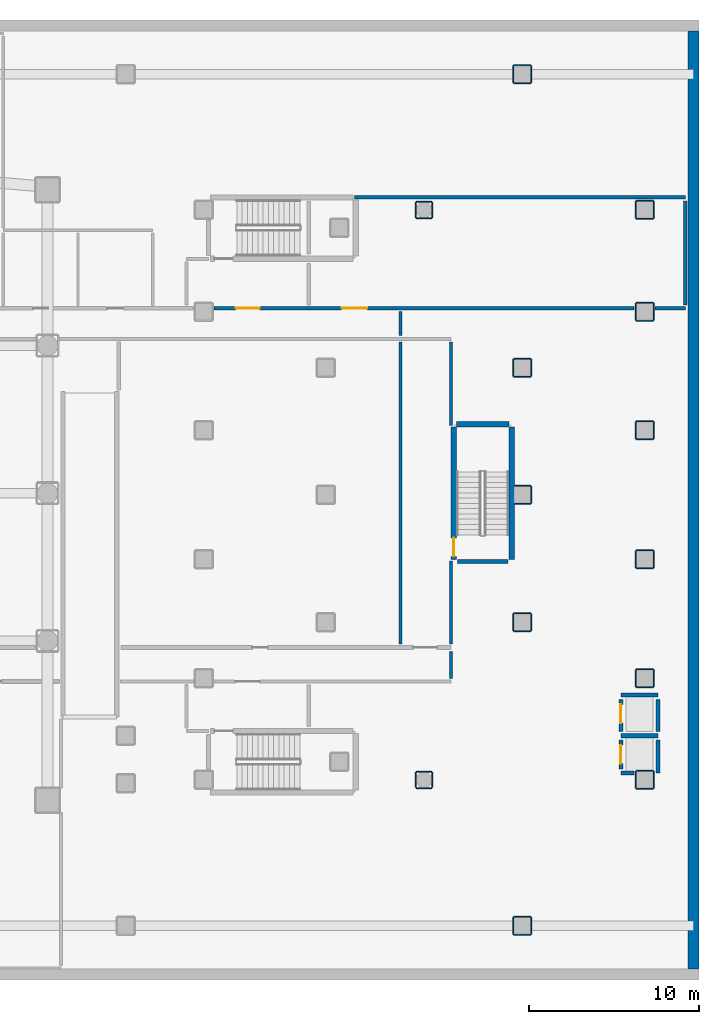
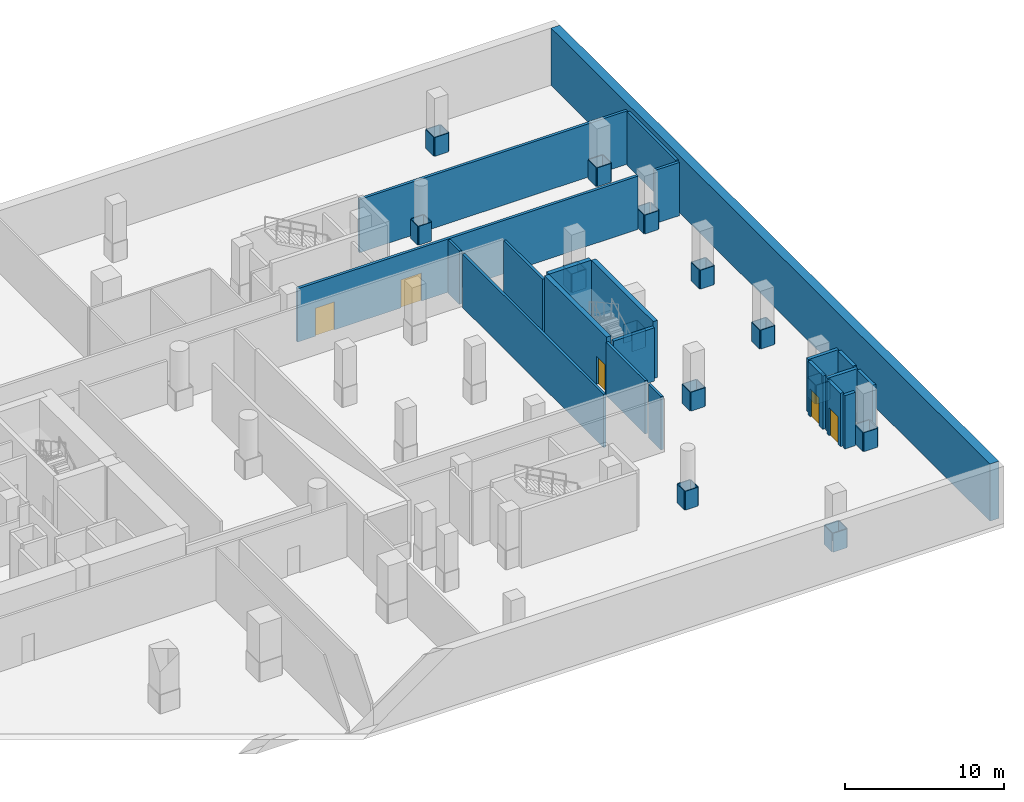
# One storey, part 9 of 15: 72 walls, 5 doors, 5 openings.
"""IFC4 building model written with IfcOpenShell, lengths in metres."""

from ifc_helpers import new_model, si_unit, direction, frame, frame_2d, origin, place, context, subcontext, project, spatial, rectangle, extrude, material, layer, layer_set, type_object, element, fill, save


model = new_model("IFC4")

# Units and contexts
model_context = context("Model", 3, precision=1e-05, world=origin(), true_north=direction((0.0, 1.0)))
body_context = subcontext(model_context, "Body", "Model", "MODEL_VIEW")
ifc_project = project(units=[si_unit("LENGTHUNIT", "METRE"), si_unit("AREAUNIT", "SQUARE_METRE"), si_unit("VOLUMEUNIT", "CUBIC_METRE"), si_unit("PLANEANGLEUNIT", "RADIAN"), si_unit("MASSUNIT", "GRAM", prefix="KILO")], contexts=[model_context])

# Site, building, storey
site_placement = place(None, origin())
site = spatial("IfcSite", under=ifc_project, at=site_placement, CompositionType="ELEMENT")
building_placement = place(site_placement, origin())
building = spatial("IfcBuilding", under=site, at=building_placement, Name="Solanera Arch Residences", CompositionType="ELEMENT")
storey_placement = place(building_placement, frame((0.0, 0.0, -8.800048828125)))
storey = spatial("IfcBuildingStorey", under=building, at=storey_placement, Name="B02", CompositionType="ELEMENT", Elevation=-8.800048828125)

# Walls
ifc_material_1 = material(Name="Fire-Rated Gypsum Stud Partition", Category="gypsum")
ifc_layer_1 = layer(ifc_material_1, 0.06005859375)
ifc_layer_set_1 = layer_set([ifc_layer_1], Name="Fire-Rated Gypsum Stud Partition")
wall_type_1 = type_object("IfcWallType", Name="Column Acoustic Furring Wall 60", PredefinedType="PARTITIONING", material=ifc_layer_set_1)
for number, where, z_axis, x_axis, name in (
    (1, (74.10009765625, 22.568115234375, 0.0), (0.0, 0.0, 1.0), (1.0, 0.0, 0.0), "B02 Column Furring 28S"),
    (2, (74.10009765625, 23.632080078125, 0.0), (0.0, 0.0, 1.0), (1.0, 0.0, 0.0), "B02 Column Furring 28N"),
    (3, (74.068115234375, 22.60009765625, 0.0), (0.0, 0.0, 1.0), (0.0, 1.0, 0.0), "B02 Column Furring 28W"),
    (4, (75.132080078125, 22.60009765625, 0.0), (0.0, 0.0, 1.0), (0.0, 1.0, 0.0), "B02 Column Furring 28E"),
):
    element("IfcWall", number, at=place(storey_placement, frame(where, z_axis=z_axis, x_axis=x_axis)), inside=storey, type_object=wall_type_1, Name=name, PredefinedType="PARTITIONING", context=body_context, shape_type="SweptSolid", body=[
        extrude(rectangle(XDim=1.0, YDim=0.06005859375, at=frame_2d((0.5, 0.0))), origin(), (0.0, 0.0, 1.0), 1.449951171875),
    ])
for number, where, z_axis, x_axis, name in (
    (5, (74.135009765625, 30.068115234375, 0.0), (0.0, 0.0, 1.0), (1.0, 0.0, 0.0), "B02 Column Furring 30S"),
    (6, (74.135009765625, 31.132080078125, 0.0), (0.0, 0.0, 1.0), (1.0, 0.0, 0.0), "B02 Column Furring 30N"),
):
    element("IfcWall", number, at=place(storey_placement, frame(where, z_axis=z_axis, x_axis=x_axis)), inside=storey, type_object=wall_type_1, Name=name, PredefinedType="PARTITIONING", context=body_context, shape_type="SweptSolid", body=[
        extrude(rectangle(XDim=0.965087890625, YDim=0.06005859375, at=frame_2d((0.482421875, 0.0))), origin(), (0.0, 0.0, 1.0), 1.449951171875),
    ])
for number, where, z_axis, x_axis, name in (
    (7, (75.132080078125, 30.10009765625, 0.0), (0.0, 0.0, 1.0), (0.0, 1.0, 0.0), "B02 Column Furring 30E"),
    (8, (74.10009765625, 37.568115234375, 0.0), (0.0, 0.0, 1.0), (1.0, 0.0, 0.0), "B02 Column Furring 32S"),
    (9, (74.10009765625, 38.632080078125, 0.0), (0.0, 0.0, 1.0), (1.0, 0.0, 0.0), "B02 Column Furring 32N"),
    (10, (74.068115234375, 37.60009765625, 0.0), (0.0, 0.0, 1.0), (0.0, 1.0, 0.0), "B02 Column Furring 32W"),
    (11, (75.132080078125, 37.60009765625, 0.0), (0.0, 0.0, 1.0), (0.0, 1.0, 0.0), "B02 Column Furring 32E"),
    (12, (74.10009765625, 4.66796875, 0.0), (0.0, 0.0, 1.0), (1.0, 0.0, 0.0), "B02 Column Furring 37S"),
    (13, (74.10009765625, 5.73193359375, 0.0), (0.0, 0.0, 1.0), (1.0, 0.0, 0.0), "B02 Column Furring 37N"),
    (14, (74.068115234375, 4.699951171875, 0.0), (0.0, 0.0, 1.0), (0.0, 1.0, 0.0), "B02 Column Furring 37W"),
    (15, (75.132080078125, 4.699951171875, 0.0), (0.0, 0.0, 1.0), (0.0, 1.0, 0.0), "B02 Column Furring 37E"),
    (16, (74.10009765625, 54.867919921875, 0.0), (0.0, 0.0, 1.0), (1.0, 0.0, 0.0), "B02 Column Furring 40S"),
    (17, (74.10009765625, 55.931884765625, 0.0), (0.0, 0.0, 1.0), (1.0, 0.0, 0.0), "B02 Column Furring 40N"),
    (18, (74.068115234375, 54.89990234375, 0.0), (0.0, 0.0, 1.0), (0.0, 1.0, 0.0), "B02 Column Furring 40W"),
    (19, (75.132080078125, 54.89990234375, 0.0), (0.0, 0.0, 1.0), (0.0, 1.0, 0.0), "B02 Column Furring 40E"),
    (20, (81.300048828125, 13.26806640625, 0.0), (0.0, 0.0, 1.0), (1.0, 0.0, 0.0), "B02 Column Furring 49S"),
    (21, (81.300048828125, 14.33203125, 0.0), (0.0, 0.0, 1.0), (1.0, 0.0, 0.0), "B02 Column Furring 49N"),
    (22, (81.26806640625, 13.300048828125, 0.0), (0.0, 0.0, 1.0), (0.0, 1.0, 0.0), "B02 Column Furring 49W"),
    (23, (82.33203125, 13.300048828125, 0.0), (0.0, 0.0, 1.0), (0.0, 1.0, 0.0), "B02 Column Furring 49E"),
    (24, (81.300048828125, 19.26806640625, 0.0), (0.0, 0.0, 1.0), (1.0, 0.0, 0.0), "B02 Column Furring 50S"),
    (25, (81.300048828125, 20.33203125, 0.0), (0.0, 0.0, 1.0), (1.0, 0.0, 0.0), "B02 Column Furring 50N"),
    (26, (81.26806640625, 19.300048828125, 0.0), (0.0, 0.0, 1.0), (0.0, 1.0, 0.0), "B02 Column Furring 50W"),
    (27, (82.33203125, 19.300048828125, 0.0), (0.0, 0.0, 1.0), (0.0, 1.0, 0.0), "B02 Column Furring 50E"),
    (28, (81.300048828125, 26.26806640625, 0.0), (0.0, 0.0, 1.0), (1.0, 0.0, 0.0), "B02 Column Furring 51S"),
    (29, (81.300048828125, 27.33203125, 0.0), (0.0, 0.0, 1.0), (1.0, 0.0, 0.0), "B02 Column Furring 51N"),
    (30, (81.26806640625, 26.300048828125, 0.0), (0.0, 0.0, 1.0), (0.0, 1.0, 0.0), "B02 Column Furring 51W"),
    (31, (82.33203125, 26.300048828125, 0.0), (0.0, 0.0, 1.0), (0.0, 1.0, 0.0), "B02 Column Furring 51E"),
    (32, (81.300048828125, 33.867919921875, 0.0), (0.0, 0.0, 1.0), (1.0, 0.0, 0.0), "B02 Column Furring 52S"),
    (33, (81.300048828125, 34.931884765625, 0.0), (0.0, 0.0, 1.0), (1.0, 0.0, 0.0), "B02 Column Furring 52N"),
    (34, (81.26806640625, 33.89990234375, 0.0), (0.0, 0.0, 1.0), (0.0, 1.0, 0.0), "B02 Column Furring 52W"),
    (35, (82.33203125, 33.89990234375, 0.0), (0.0, 0.0, 1.0), (0.0, 1.0, 0.0), "B02 Column Furring 52E"),
    (36, (81.300048828125, 40.867919921875, 0.0), (0.0, 0.0, 1.0), (1.0, 0.0, 0.0), "B02 Column Furring 53S"),
    (37, (81.300048828125, 41.931884765625, 0.0), (0.0, 0.0, 1.0), (1.0, 0.0, 0.0), "B02 Column Furring 53N"),
    (38, (81.26806640625, 40.89990234375, 0.0), (0.0, 0.0, 1.0), (0.0, 1.0, 0.0), "B02 Column Furring 53W"),
    (39, (82.33203125, 40.89990234375, 0.0), (0.0, 0.0, 1.0), (0.0, 1.0, 0.0), "B02 Column Furring 53E"),
    (40, (81.300048828125, 46.867919921875, 0.0), (0.0, 0.0, 1.0), (1.0, 0.0, 0.0), "B02 Column Furring 54S"),
    (41, (81.300048828125, 47.931884765625, 0.0), (0.0, 0.0, 1.0), (1.0, 0.0, 0.0), "B02 Column Furring 54N"),
    (42, (81.26806640625, 46.89990234375, 0.0), (0.0, 0.0, 1.0), (0.0, 1.0, 0.0), "B02 Column Furring 54W"),
    (43, (82.33203125, 46.89990234375, 0.0), (0.0, 0.0, 1.0), (0.0, 1.0, 0.0), "B02 Column Furring 54E"),
):
    element("IfcWall", number, at=place(storey_placement, frame(where, z_axis=z_axis, x_axis=x_axis)), inside=storey, type_object=wall_type_1, Name=name, PredefinedType="PARTITIONING", context=body_context, shape_type="SweptSolid", body=[
        extrude(rectangle(XDim=1.0, YDim=0.06005859375, at=frame_2d((0.5, 0.0))), origin(), (0.0, 0.0, 1.0), 1.449951171875),
    ])
for number, where, z_axis, x_axis, name in (
    (44, (68.35009765625, 13.318115234375, 0.0), (0.0, 0.0, 1.0), (1.0, 0.0, 0.0), "B02 Column Furring 55S"),
    (45, (68.35009765625, 14.281982421875, 0.0), (0.0, 0.0, 1.0), (1.0, 0.0, 0.0), "B02 Column Furring 55N"),
    (46, (68.318115234375, 13.35009765625, 0.0), (0.0, 0.0, 1.0), (0.0, 1.0, 0.0), "B02 Column Furring 55W"),
    (47, (69.281982421875, 13.35009765625, 0.0), (0.0, 0.0, 1.0), (0.0, 1.0, 0.0), "B02 Column Furring 55E"),
    (48, (68.35009765625, 46.91796875, 0.0), (0.0, 0.0, 1.0), (1.0, 0.0, 0.0), "B02 Column Furring 56S"),
    (49, (68.35009765625, 47.882080078125, 0.0), (0.0, 0.0, 1.0), (1.0, 0.0, 0.0), "B02 Column Furring 56N"),
):
    element("IfcWall", number, at=place(storey_placement, frame(where, z_axis=z_axis, x_axis=x_axis)), inside=storey, type_object=wall_type_1, Name=name, PredefinedType="PARTITIONING", context=body_context, shape_type="SweptSolid", body=[
        extrude(rectangle(XDim=0.89990234375, YDim=0.06005859375, at=frame_2d((0.449951171875, 0.0))), origin(), (0.0, 0.0, 1.0), 1.449951171875),
    ])
for number, where, z_axis, x_axis, name in (
    (50, (68.318115234375, 46.949951171875, 0.0), (0.0, 0.0, 1.0), (0.0, 1.0, 0.0), "B02 Column Furring 56W"),
    (51, (69.281982421875, 46.949951171875, 0.0), (0.0, 0.0, 1.0), (0.0, 1.0, 0.0), "B02 Column Furring 56E"),
):
    element("IfcWall", number, at=place(storey_placement, frame(where, z_axis=z_axis, x_axis=x_axis)), inside=storey, type_object=wall_type_1, Name=name, PredefinedType="PARTITIONING", context=body_context, shape_type="SweptSolid", body=[
        extrude(rectangle(XDim=0.900146484375, YDim=0.06005859375, at=frame_2d((0.4501953125, 0.0))), origin(), (0.0, 0.0, 1.0), 1.449951171875),
    ])
ifc_material_2 = material(Name="Concrete C40/50 (f'c = 45 MPa)", Category="concrete")
ifc_layer_2 = layer(ifc_material_2, 0.320068359375)
ifc_layer_set_2 = layer_set([ifc_layer_2], Name="Concrete C40/50 (f'c = 45 MPa)")
wall_type_2 = type_object("IfcWallType", Name="Core Shear Wall CW-320", PredefinedType="SHEAR", material=ifc_layer_set_2)
wall_1_placement = place(storey_placement, frame((70.719970703125, 34.760009765625, 0.0), z_axis=(0.0, 0.0, 1.0), x_axis=(1.0, 0.0, 0.0)))
element("IfcWall", 52, at=wall_1_placement, inside=storey, type_object=wall_type_2, Name="B02 Stair ST-B1 North Shear Wall", PredefinedType="SHEAR", context=body_context, shape_type="SweptSolid", body=[
    extrude(rectangle(XDim=3.080078125, YDim=0.320068359375, at=frame_2d((1.5400390625, 0.0))), origin(), (0.0, 0.0, 1.0), 4.400146484375),
])
wall_2_placement = place(storey_placement, frame((73.9599609375, 26.800048828125, 0.0), z_axis=(0.0, 0.0, 1.0), x_axis=(0.0, 1.0, 0.0)))
element("IfcWall", 53, at=wall_2_placement, inside=storey, type_object=wall_type_2, Name="B02 Stair ST-B1 East Shear Wall", PredefinedType="SHEAR", context=body_context, shape_type="SweptSolid", body=[
    extrude(rectangle(XDim=7.800048828125, YDim=0.320068359375, at=frame_2d((3.89990234375, 0.0))), origin(), (0.0, 0.0, 1.0), 4.400146484375),
])

# Wall, opening, door
wall_3_placement = place(storey_placement, frame((70.56005859375, 26.800048828125, 0.0), z_axis=(0.0, 0.0, 1.0), x_axis=(0.0, 1.0, 0.0)))
wall_3 = element("IfcWall", 54, at=wall_3_placement, inside=storey, type_object=wall_type_2, Name="B02 Stair ST-B1 West Shear Wall", PredefinedType="SHEAR", context=body_context, shape_type="SweptSolid", body=[
    extrude(rectangle(XDim=7.800048828125, YDim=0.320068359375, at=frame_2d((3.89990234375, 0.0))), origin(), (0.0, 0.0, 1.0), 4.400146484375),
])
opening_1_placement = place(wall_3_placement, frame((0.169921875, 0.0, 0.0)))
opening_1 = element("IfcOpeningElement", 55, at=opening_1_placement, cuts=wall_3, Name="Opening DF-01", PredefinedType="OPENING", context=body_context, shape_type="SweptSolid", body=[
    extrude(rectangle(XDim=1.10009765625, YDim=2.14990234375, at=frame_2d((0.550048828125, 1.074951171875))), frame((0.0, 0.169921875, 0.0), z_axis=(0.0, -1.0, 0.0), x_axis=(1.0, 0.0, 0.0)), (0.0, 0.0, 1.0), 0.3401),
])
ifc_material_3 = material(Name="Fire-Rated Architectural Hardwood", Category="wood")
door_type_1 = type_object("IfcDoorType", Name="Stair Exit Fire Door DF-01", OperationType="NOTDEFINED", PredefinedType="DOOR", material=ifc_material_3)
door_1_placement = place(opening_1_placement, origin())
door_1 = element("IfcDoor", 56, at=door_1_placement, inside=storey, type_object=door_type_1, Name="DR-B02-STAIR-ST-B1", OperationType="SINGLE_SWING_LEFT", OverallHeight=2.14990234375, OverallWidth=1.10009765625, PredefinedType="DOOR", context=body_context, shape_type="SweptSolid", body=[
    extrude(rectangle(XDim=1.10009765625, YDim=2.14990234375, at=frame_2d((0.550048828125, 1.074951171875))), frame((0.0, 0.02490234375, 0.0), z_axis=(0.0, -1.0, 0.0), x_axis=(1.0, 0.0, 0.0)), (0.0, 0.0, 1.0), 0.050048828125),
])
fill(opening_1, door_1)

# Walls
ifc_material_4 = material(Name="Autoclaved Aerated Concrete Blockwork", Category="masonry")
ifc_layer_3 = layer(ifc_material_4, 0.179931640625)
ifc_layer_set_3 = layer_set([ifc_layer_3], Name="Autoclaved Aerated Concrete Blockwork")
wall_type_3 = type_object("IfcWallType", Name="Corridor Fire Partition 180", PredefinedType="PARTITIONING", material=ifc_layer_set_3)
wall_4_placement = place(storey_placement, frame((67.39990234375, 21.818115234375, 0.0), z_axis=(0.0, 0.0, 1.0), x_axis=(0.0, 1.0, 0.0)))
element("IfcWall", 57, at=wall_4_placement, inside=storey, type_object=wall_type_3, Name="B02 Interior Partition V19 1", PredefinedType="PARTITIONING", context=body_context, shape_type="SweptSolid", body=[
    extrude(rectangle(XDim=17.7939453125, YDim=0.179931640625, at=frame_2d((8.89697265625, 0.0))), origin(), (0.0, 0.0, 1.0), 4.10009765625),
])
wall_5_placement = place(storey_placement, frame((67.39990234375, 39.988037109375, 0.0), z_axis=(0.0, 0.0, 1.0), x_axis=(0.0, 1.0, 0.0)))
element("IfcWall", 58, at=wall_5_placement, inside=storey, type_object=wall_type_3, Name="B02 Interior Partition V19 2", PredefinedType="PARTITIONING", context=body_context, shape_type="SweptSolid", body=[
    extrude(rectangle(XDim=1.4140625, YDim=0.179931640625, at=frame_2d((0.70703125, 0.0))), origin(), (0.0, 0.0, 1.0), 4.10009765625),
])
wall_6_placement = place(storey_placement, frame((70.39990234375, 19.7880859375, 0.0), z_axis=(0.0, 0.0, 1.0), x_axis=(0.0, 1.0, 0.0)))
element("IfcWall", 59, at=wall_6_placement, inside=storey, type_object=wall_type_3, Name="B02 Interior Partition V20 1", PredefinedType="PARTITIONING", context=body_context, shape_type="SweptSolid", body=[
    extrude(rectangle(XDim=1.593994140625, YDim=0.179931640625, at=frame_2d((0.796875, 0.0))), origin(), (0.0, 0.0, 1.0), 4.10009765625),
])
wall_7_placement = place(storey_placement, frame((70.39990234375, 21.818115234375, 0.0), z_axis=(0.0, 0.0, 1.0), x_axis=(0.0, 1.0, 0.0)))
element("IfcWall", 60, at=wall_7_placement, inside=storey, type_object=wall_type_3, Name="B02 Interior Partition V20 2", PredefinedType="PARTITIONING", context=body_context, shape_type="SweptSolid", body=[
    extrude(rectangle(XDim=4.8818359375, YDim=0.179931640625, at=frame_2d((2.44091796875, 0.0))), origin(), (0.0, 0.0, 1.0), 4.10009765625),
])
wall_8_placement = place(storey_placement, frame((70.39990234375, 34.699951171875, 0.0), z_axis=(0.0, 0.0, 1.0), x_axis=(0.0, 1.0, 0.0)))
element("IfcWall", 61, at=wall_8_placement, inside=storey, type_object=wall_type_3, Name="B02 Interior Partition V20 3", PredefinedType="PARTITIONING", context=body_context, shape_type="SweptSolid", body=[
    extrude(rectangle(XDim=4.912109375, YDim=0.179931640625, at=frame_2d((2.4560546875, 0.0))), origin(), (0.0, 0.0, 1.0), 4.10009765625),
])

# Wall, openings, doors
ifc_material_5 = material(Name="Autoclaved Aerated Concrete Blockwork", Category="masonry")
ifc_layer_4 = layer(ifc_material_5, 0.199951171875)
ifc_layer_set_4 = layer_set([ifc_layer_4], Name="Autoclaved Aerated Concrete Blockwork")
wall_type_4 = type_object("IfcWallType", Name="Party Wall Acoustic 200", PredefinedType="PARTITIONING", material=ifc_layer_set_4)
wall_9_placement = place(storey_placement, frame((56.412109375, 41.60009765625, 0.0), z_axis=(0.0, 0.0, 1.0), x_axis=(1.0, 0.0, 0.0)))
wall_9 = element("IfcWall", 62, at=wall_9_placement, inside=storey, type_object=wall_type_4, Name="B02 Interior Partition H8 2", PredefinedType="PARTITIONING", context=body_context, shape_type="SweptSolid", body=[
    extrude(rectangle(XDim=24.77587890625, YDim=0.199951171875, at=frame_2d((12.387939453125, 0.0))), origin(), (0.0, 0.0, 1.0), 4.10009765625),
])
opening_2_placement = place(wall_9_placement, frame((1.2880859375, 0.0, 0.0)))
opening_2 = element("IfcOpeningElement", 63, at=opening_2_placement, cuts=wall_9, Name="Opening DF-03", PredefinedType="OPENING", context=body_context, shape_type="SweptSolid", body=[
    extrude(rectangle(XDim=1.39990234375, YDim=2.14990234375, at=frame_2d((0.699951171875, 1.074951171875))), frame((0.0, 0.110107421875, 0.0), z_axis=(0.0, -1.0, 0.0), x_axis=(1.0, 0.0, 0.0)), (0.0, 0.0, 1.0), 0.22),
])
opening_3_placement = place(wall_9_placement, frame((7.528076171875, 0.0, 0.0)))
opening_3 = element("IfcOpeningElement", 64, at=opening_3_placement, cuts=wall_9, Name="Opening DP-01", PredefinedType="OPENING", context=body_context, shape_type="SweptSolid", body=[
    extrude(rectangle(XDim=1.5, YDim=2.14990234375, at=frame_2d((0.75, 1.074951171875))), frame((0.0, 0.110107421875, 0.0), z_axis=(0.0, -1.0, 0.0), x_axis=(1.0, 0.0, 0.0)), (0.0, 0.0, 1.0), 0.22),
])
ifc_material_6 = material(Name="Fire-Rated Architectural Hardwood", Category="wood")
door_type_2 = type_object("IfcDoorType", Name="Corridor Smoke Door DF-03", OperationType="NOTDEFINED", PredefinedType="DOOR", material=ifc_material_6)
door_2_placement = place(opening_2_placement, origin())
door_2 = element("IfcDoor", 65, at=door_2_placement, inside=storey, type_object=door_type_2, Name="DR-B02-IN-021", OperationType="SINGLE_SWING_RIGHT", OverallHeight=2.14990234375, OverallWidth=1.39990234375, PredefinedType="DOOR", context=body_context, shape_type="SweptSolid", body=[
    extrude(rectangle(XDim=1.39990234375, YDim=2.14990234375, at=frame_2d((0.699951171875, 1.074951171875))), frame((0.0, 0.02490234375, 0.0), z_axis=(0.0, -1.0, 0.0), x_axis=(1.0, 0.0, 0.0)), (0.0, 0.0, 1.0), 0.050048828125),
])
fill(opening_2, door_2)
ifc_material_7 = material(Name="Fire-Rated Architectural Hardwood", Category="wood")
door_type_3 = type_object("IfcDoorType", Name="Plant Double Fire Door DP-01", OperationType="NOTDEFINED", PredefinedType="DOOR", material=ifc_material_7)
door_3_placement = place(opening_3_placement, origin())
door_3 = element("IfcDoor", 66, at=door_3_placement, inside=storey, type_object=door_type_3, Name="DR-B02-IN-032", OperationType="SINGLE_SWING_LEFT", OverallHeight=2.14990234375, OverallWidth=1.5, PredefinedType="DOOR", context=body_context, shape_type="SweptSolid", body=[
    extrude(rectangle(XDim=1.5, YDim=2.14990234375, at=frame_2d((0.75, 1.074951171875))), frame((0.0, 0.02490234375, 0.0), z_axis=(0.0, -1.0, 0.0), x_axis=(1.0, 0.0, 0.0)), (0.0, 0.0, 1.0), 0.050048828125),
])
fill(opening_3, door_3)

# Walls
wall_10_placement = place(storey_placement, frame((82.412109375, 41.60009765625, 0.0), z_axis=(0.0, 0.0, 1.0), x_axis=(1.0, 0.0, 0.0)))
element("IfcWall", 67, at=wall_10_placement, inside=storey, type_object=wall_type_4, Name="B02 Interior Partition H8 3", PredefinedType="PARTITIONING", context=body_context, shape_type="SweptSolid", body=[
    extrude(rectangle(XDim=1.787841796875, YDim=0.199951171875, at=frame_2d((0.89404296875, 0.0))), origin(), (0.0, 0.0, 1.0), 4.10009765625),
])
wall_11_placement = place(storey_placement, frame((64.7099609375, 48.139892578125, 0.0), z_axis=(0.0, 0.0, 1.0), x_axis=(1.0, 0.0, 0.0)))
element("IfcWall", 68, at=wall_11_placement, inside=storey, type_object=wall_type_4, Name="B02 Interior Partition H9", PredefinedType="PARTITIONING", context=body_context, shape_type="SweptSolid", body=[
    extrude(rectangle(XDim=19.489990234375, YDim=0.199951171875, at=frame_2d((9.7451171875, 0.0))), origin(), (0.0, 0.0, 1.0), 4.10009765625),
])
wall_12_placement = place(storey_placement, frame((84.199951171875, 41.80810546875, 0.0), z_axis=(0.0, 0.0, 1.0), x_axis=(0.0, 1.0, 0.0)))
element("IfcWall", 69, at=wall_12_placement, inside=storey, type_object=wall_type_4, Name="B02 Interior Partition V9", PredefinedType="PARTITIONING", context=body_context, shape_type="SweptSolid", body=[
    extrude(rectangle(XDim=6.123779296875, YDim=0.199951171875, at=frame_2d((3.06201171875, 0.0))), origin(), (0.0, 0.0, 1.0), 4.10009765625),
])
ifc_material_8 = material(Name="Autoclaved Aerated Concrete Blockwork", Category="masonry")
ifc_layer_5 = layer(ifc_material_8, 0.239990234375)
ifc_layer_set_5 = layer_set([ifc_layer_5], Name="Autoclaved Aerated Concrete Blockwork")
wall_type_5 = type_object("IfcWallType", Name="Shaft Wall Fire-Rated 240", PredefinedType="PARTITIONING", material=ifc_layer_set_5)
wall_13_placement = place(storey_placement, frame((70.77001953125, 26.679931640625, 0.0), z_axis=(0.0, 0.0, 1.0), x_axis=(1.0, 0.0, 0.0)))
element("IfcWall", 70, at=wall_13_placement, inside=storey, type_object=wall_type_5, Name="B02 Stair ST-B1 South Wall", PredefinedType="PARTITIONING", context=body_context, shape_type="SweptSolid", body=[
    extrude(rectangle(XDim=2.97998046875, YDim=0.239990234375, at=frame_2d((1.489990234375, 0.0))), origin(), (0.0, 0.0, 1.0), 4.10009765625),
])
wall_14_placement = place(storey_placement, frame((80.39990234375, 14.199951171875, 0.0), z_axis=(0.0, 0.0, 1.0), x_axis=(1.0, 0.0, 0.0)))
element("IfcWall", 71, at=wall_14_placement, inside=storey, type_object=wall_type_5, Name="B02 Lift PL-SH1 Hoistway Wall S", PredefinedType="PARTITIONING", context=body_context, shape_type="SweptSolid", body=[
    extrude(rectangle(XDim=0.76806640625, YDim=0.239990234375, at=frame_2d((0.384033203125, 0.0))), origin(), (0.0, 0.0, 1.0), 4.10009765625),
])
wall_15_placement = place(storey_placement, frame((80.39990234375, 16.39990234375, 0.0), z_axis=(0.0, 0.0, 1.0), x_axis=(1.0, 0.0, 0.0)))
element("IfcWall", 72, at=wall_15_placement, inside=storey, type_object=wall_type_5, Name="B02 Lift PL-SH1 Hoistway Wall N", PredefinedType="PARTITIONING", context=body_context, shape_type="SweptSolid", body=[
    extrude(rectangle(XDim=2.2001953125, YDim=0.239990234375, at=frame_2d((1.10009765625, 0.0))), origin(), (0.0, 0.0, 1.0), 4.10009765625),
])

# Wall, opening, door
wall_16_placement = place(storey_placement, frame((80.39990234375, 14.447998046875, 0.0), z_axis=(0.0, 0.0, 1.0), x_axis=(0.0, 1.0, 0.0)))
wall_16 = element("IfcWall", 73, at=wall_16_placement, inside=storey, type_object=wall_type_5, Name="B02 Lift PL-SH1 Hoistway Wall W", PredefinedType="PARTITIONING", context=body_context, shape_type="SweptSolid", body=[
    extrude(rectangle(XDim=1.7041015625, YDim=0.239990234375, at=frame_2d((0.85205078125, 0.0))), origin(), (0.0, 0.0, 1.0), 4.10009765625),
])
opening_4_placement = place(wall_16_placement, frame((0.302001953125, 0.0, 0.0)))
opening_4 = element("IfcOpeningElement", 74, at=opening_4_placement, cuts=wall_16, Name="Opening LD-01", PredefinedType="OPENING", context=body_context, shape_type="SweptSolid", body=[
    extrude(rectangle(XDim=1.10009765625, YDim=2.14990234375, at=frame_2d((0.550048828125, 1.074951171875))), frame((0.0, 0.1298828125, 0.0), z_axis=(0.0, -1.0, 0.0), x_axis=(1.0, 0.0, 0.0)), (0.0, 0.0, 1.0), 0.26),
])
ifc_material_9 = material(Name="Anodised Aluminium Alloy 6063-T6", Category="aluminium")
door_type_4 = type_object("IfcDoorType", Name="Lift Landing Sliding Door LD-01", OperationType="NOTDEFINED", PredefinedType="DOOR", material=ifc_material_9)
door_4_placement = place(opening_4_placement, origin())
door_4 = element("IfcDoor", 75, at=door_4_placement, inside=storey, type_object=door_type_4, Name="DR-B02-LIFT-PL-SH1", OperationType="SLIDING_TO_LEFT", OverallHeight=2.14990234375, OverallWidth=1.10009765625, PredefinedType="DOOR", context=body_context, shape_type="SweptSolid", body=[
    extrude(rectangle(XDim=1.10009765625, YDim=2.14990234375, at=frame_2d((0.550048828125, 1.074951171875))), frame((0.0, 0.02490234375, 0.0), z_axis=(0.0, -1.0, 0.0), x_axis=(1.0, 0.0, 0.0)), (0.0, 0.0, 1.0), 0.050048828125),
])
fill(opening_4, door_4)

# Walls
wall_17_placement = place(storey_placement, frame((82.60009765625, 14.199951171875, 0.0), z_axis=(0.0, 0.0, 1.0), x_axis=(0.0, 1.0, 0.0)))
element("IfcWall", 76, at=wall_17_placement, inside=storey, type_object=wall_type_5, Name="B02 Lift PL-SH1 Hoistway Wall E", PredefinedType="PARTITIONING", context=body_context, shape_type="SweptSolid", body=[
    extrude(rectangle(XDim=1.9521484375, YDim=0.239990234375, at=frame_2d((0.97607421875, 0.0))), origin(), (0.0, 0.0, 1.0), 4.10009765625),
])
wall_18_placement = place(storey_placement, frame((80.39990234375, 18.800048828125, 0.0), z_axis=(0.0, 0.0, 1.0), x_axis=(1.0, 0.0, 0.0)))
element("IfcWall", 77, at=wall_18_placement, inside=storey, type_object=wall_type_5, Name="B02 Lift PL-SH2 Hoistway Wall N", PredefinedType="PARTITIONING", context=body_context, shape_type="SweptSolid", body=[
    extrude(rectangle(XDim=2.2001953125, YDim=0.239990234375, at=frame_2d((1.10009765625, 0.0))), origin(), (0.0, 0.0, 1.0), 4.10009765625),
])

# Wall, opening, door
wall_19_placement = place(storey_placement, frame((80.39990234375, 16.64794921875, 0.0), z_axis=(0.0, 0.0, 1.0), x_axis=(0.0, 1.0, 0.0)))
wall_19 = element("IfcWall", 78, at=wall_19_placement, inside=storey, type_object=wall_type_5, Name="B02 Lift PL-SH2 Hoistway Wall W", PredefinedType="PARTITIONING", context=body_context, shape_type="SweptSolid", body=[
    extrude(rectangle(XDim=1.904052734375, YDim=0.239990234375, at=frame_2d((0.9521484375, 0.0))), origin(), (0.0, 0.0, 1.0), 4.10009765625),
])
opening_5_placement = place(wall_19_placement, frame((0.501953125, 0.0, 0.0)))
opening_5 = element("IfcOpeningElement", 79, at=opening_5_placement, cuts=wall_19, Name="Opening LD-01", PredefinedType="OPENING", context=body_context, shape_type="SweptSolid", body=[
    extrude(rectangle(XDim=1.10009765625, YDim=2.14990234375, at=frame_2d((0.550048828125, 1.074951171875))), frame((0.0, 0.1298828125, 0.0), z_axis=(0.0, -1.0, 0.0), x_axis=(1.0, 0.0, 0.0)), (0.0, 0.0, 1.0), 0.26),
])
door_5_placement = place(opening_5_placement, origin())
door_5 = element("IfcDoor", 80, at=door_5_placement, inside=storey, type_object=door_type_4, Name="DR-B02-LIFT-PL-SH2", OperationType="SLIDING_TO_RIGHT", OverallHeight=2.14990234375, OverallWidth=1.10009765625, PredefinedType="DOOR", context=body_context, shape_type="SweptSolid", body=[
    extrude(rectangle(XDim=1.10009765625, YDim=2.14990234375, at=frame_2d((0.550048828125, 1.074951171875))), frame((0.0, 0.02490234375, 0.0), z_axis=(0.0, -1.0, 0.0), x_axis=(1.0, 0.0, 0.0)), (0.0, 0.0, 1.0), 0.050048828125),
])
fill(opening_5, door_5)

# Walls
wall_20_placement = place(storey_placement, frame((82.60009765625, 16.64794921875, 0.0), z_axis=(0.0, 0.0, 1.0), x_axis=(0.0, 1.0, 0.0)))
element("IfcWall", 81, at=wall_20_placement, inside=storey, type_object=wall_type_5, Name="B02 Lift PL-SH2 Hoistway Wall E", PredefinedType="PARTITIONING", context=body_context, shape_type="SweptSolid", body=[
    extrude(rectangle(XDim=1.904052734375, YDim=0.239990234375, at=frame_2d((0.9521484375, 0.0))), origin(), (0.0, 0.0, 1.0), 4.10009765625),
])
ifc_material_10 = material(Name="Concrete C40/50 (f'c = 45 MPa)", Category="concrete")
ifc_layer_6 = layer(ifc_material_10, 0.64990234375)
ifc_layer_set_6 = layer_set([ifc_layer_6], Name="Concrete C40/50 (f'c = 45 MPa)")
wall_type_6 = type_object("IfcWallType", Name="Solid Exterior Wall Substructure 650", PredefinedType="SOLIDWALL", material=ifc_layer_set_6)
wall_21_placement = place(storey_placement, frame((84.675048828125, 2.64990234375, 0.0), z_axis=(0.0, 0.0, 1.0), x_axis=(0.0, 1.0, 0.0)))
element("IfcWall", 82, at=wall_21_placement, inside=storey, type_object=wall_type_6, Name="B02 East Basement Retaining Wall", PredefinedType="SOLIDWALL", context=body_context, shape_type="SweptSolid", body=[
    extrude(rectangle(XDim=55.300048828125, YDim=0.64990234375, at=frame_2d((27.64990234375, 0.0))), origin(), (0.0, 0.0, 1.0), 4.400146484375),
])

save(model, "model.ifc")
